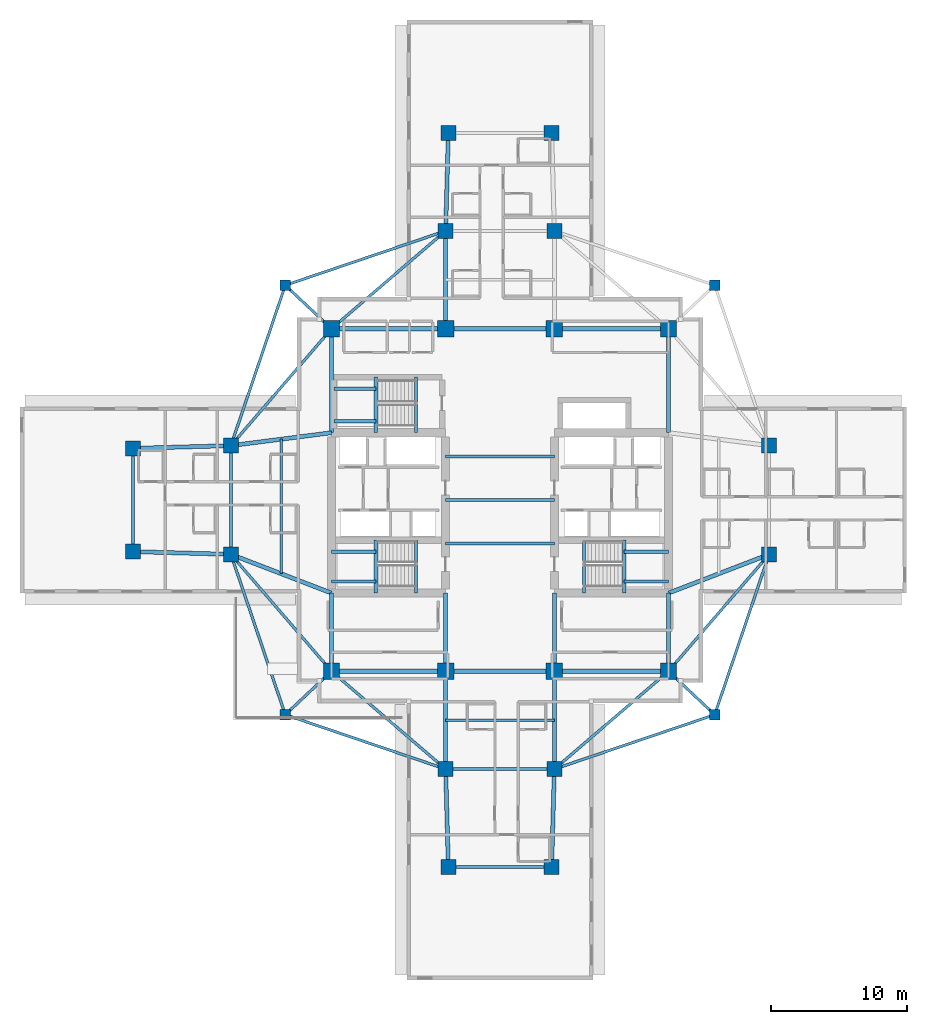
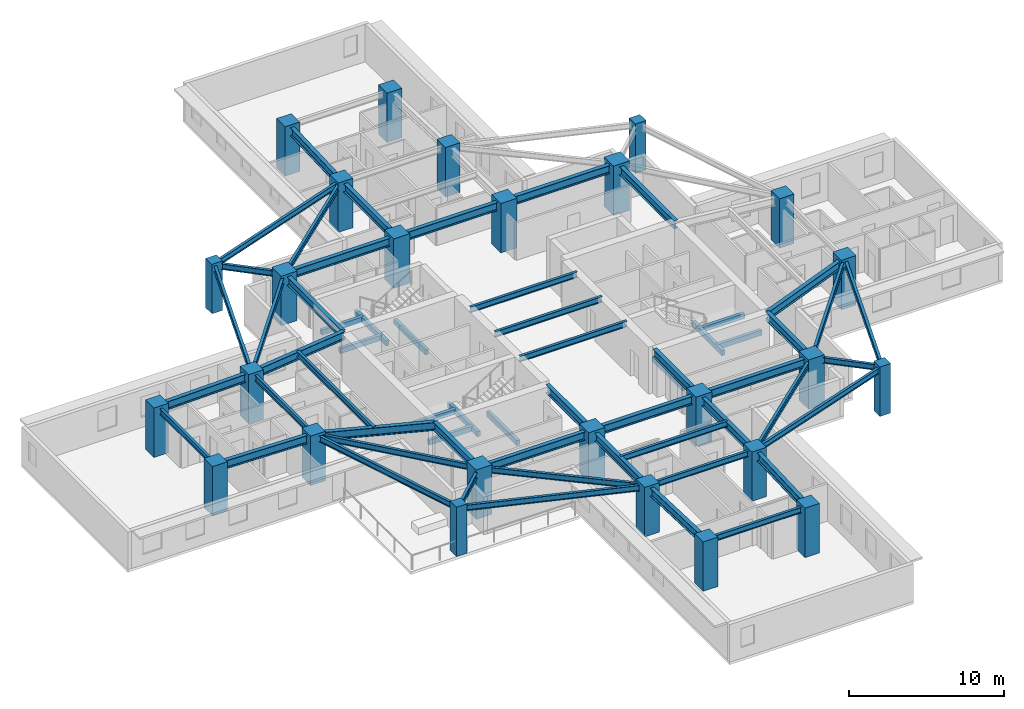
# One storey, part 1 of 13: 59 beams, 26 columns.
"""IFC4 building model written with IfcOpenShell, lengths in metres."""

from ifc_helpers import new_model, si_unit, direction, frame, origin, origin_2d, place, context, subcontext, project, spatial, rectangle, i_section, extrude, material, material_profile, profile_set, type_object, element, save


model = new_model("IFC4")

# Units and contexts
model_context = context("Model", 3, precision=1e-05, world=origin(), true_north=direction((0.0, 1.0)))
body_context = subcontext(model_context, "Body", "Model", "MODEL_VIEW")
ifc_project = project(units=[si_unit("LENGTHUNIT", "METRE"), si_unit("AREAUNIT", "SQUARE_METRE"), si_unit("VOLUMEUNIT", "CUBIC_METRE"), si_unit("PLANEANGLEUNIT", "RADIAN"), si_unit("MASSUNIT", "GRAM", prefix="KILO")], contexts=[model_context])

# Site, building, storey
site_placement = place(None, origin())
site = spatial("IfcSite", under=ifc_project, at=site_placement, CompositionType="ELEMENT")
building_placement = place(site_placement, origin())
building = spatial("IfcBuilding", under=site, at=building_placement, Name="Qingluan Cross Belvedere", CompositionType="ELEMENT")
storey_placement = place(building_placement, frame((0.0, 0.0, 104.699951171875)))
storey = spatial("IfcBuildingStorey", under=building, at=storey_placement, Name="L26", CompositionType="ELEMENT", Elevation=104.699951171875)

# Columns
ifc_material_1 = material(Name="Concrete C60", Category="concrete")
ifc_material_profile_1 = material_profile(ifc_material_1, rectangle(XDim=1.10009765625, YDim=1.10009765625, at=origin_2d()), Name="RC1100x1100")
ifc_profile_set_1 = profile_set([ifc_material_profile_1], Name="Concrete C60")
column_type_1 = type_object("IfcColumnType", Name="Column_RC1100x1100", PredefinedType="COLUMN", material=ifc_profile_set_1)
for number, where, z_axis, x_axis, name in (
    (1, (19.800048828125, -4.0, 0.0), (0.0, 0.0, 1.0), (1.0, 0.0, 0.0), "Arm column L26-EIA"),
    (2, (19.800048828125, 4.0, 0.0), (0.0, 0.0, 1.0), (1.0, 0.0, 0.0), "Arm column L26-EIB"),
    (3, (-19.800048828125, -4.0, 0.0), (0.0, 0.0, 1.0), (1.0, 0.0, 0.0), "Arm column L26-WIA"),
    (4, (-19.800048828125, 4.0, 0.0), (0.0, 0.0, 1.0), (1.0, 0.0, 0.0), "Arm column L26-WIB"),
    (5, (-4.0, -19.800048828125, 0.0), (0.0, 0.0, 1.0), (1.0, 0.0, 0.0), "Arm column L26-SIA"),
    (6, (4.0, -19.800048828125, 0.0), (0.0, 0.0, 1.0), (1.0, 0.0, 0.0), "Arm column L26-SIB"),
    (7, (-4.0, 19.800048828125, 0.0), (0.0, 0.0, 1.0), (1.0, 0.0, 0.0), "Arm column L26-NIA"),
    (8, (4.0, 19.800048828125, 0.0), (0.0, 0.0, 1.0), (1.0, 0.0, 0.0), "Arm column L26-NIB"),
    (9, (-27.0, -3.800048828125, 0.0), (0.0, 0.0, 1.0), (1.0, 0.0, 0.0), "Arm column L26-WOA"),
    (10, (-27.0, 3.800048828125, 0.0), (0.0, 0.0, 1.0), (1.0, 0.0, 0.0), "Arm column L26-WOB"),
    (11, (-3.800048828125, -27.0, 0.0), (0.0, 0.0, 1.0), (1.0, 0.0, 0.0), "Arm column L26-SOA"),
    (12, (3.800048828125, -27.0, 0.0), (0.0, 0.0, 1.0), (1.0, 0.0, 0.0), "Arm column L26-SOB"),
    (13, (-3.800048828125, 27.0, 0.0), (0.0, 0.0, 1.0), (1.0, 0.0, 0.0), "Arm column L26-NOA"),
    (14, (3.800048828125, 27.0, 0.0), (0.0, 0.0, 1.0), (1.0, 0.0, 0.0), "Arm column L26-NOB"),
):
    element("IfcColumn", number, at=place(storey_placement, frame(where, z_axis=z_axis, x_axis=x_axis)), inside=storey, type_object=column_type_1, Name=name, PredefinedType="COLUMN", context=body_context, shape_type="SweptSolid", body=[
        extrude(rectangle(XDim=1.10009765625, YDim=1.10009765625, at=origin_2d()), origin(), (0.0, 0.0, 1.0), 3.900146484375),
    ])
ifc_material_2 = material(Name="Concrete C60", Category="concrete")
ifc_material_profile_2 = material_profile(ifc_material_2, rectangle(XDim=1.199951171875, YDim=1.199951171875, at=origin_2d()), Name="RC1200x1200")
ifc_profile_set_2 = profile_set([ifc_material_profile_2], Name="Concrete C60")
column_type_2 = type_object("IfcColumnType", Name="Column_RC1200x1200", PredefinedType="COLUMN", material=ifc_profile_set_2)
for number, where, z_axis, x_axis, name in (
    (15, (-12.39990234375, -12.60009765625, 0.0), (0.0, 0.0, 1.0), (1.0, 0.0, 0.0), "Hub column L26-HC1"),
    (16, (12.39990234375, -12.60009765625, 0.0), (0.0, 0.0, 1.0), (1.0, 0.0, 0.0), "Hub column L26-HC2"),
    (17, (12.39990234375, 12.60009765625, 0.0), (0.0, 0.0, 1.0), (1.0, 0.0, 0.0), "Hub column L26-HC3"),
    (18, (-12.39990234375, 12.60009765625, 0.0), (0.0, 0.0, 1.0), (1.0, 0.0, 0.0), "Hub column L26-HC4"),
    (19, (-4.0, -12.60009765625, 0.0), (0.0, 0.0, 1.0), (1.0, 0.0, 0.0), "Hub column L26-HC5"),
    (20, (4.0, -12.60009765625, 0.0), (0.0, 0.0, 1.0), (1.0, 0.0, 0.0), "Hub column L26-HC6"),
    (21, (4.0, 12.60009765625, 0.0), (0.0, 0.0, 1.0), (1.0, 0.0, 0.0), "Hub column L26-HC7"),
    (22, (-4.0, 12.60009765625, 0.0), (0.0, 0.0, 1.0), (1.0, 0.0, 0.0), "Hub column L26-HC8"),
):
    element("IfcColumn", number, at=place(storey_placement, frame(where, z_axis=z_axis, x_axis=x_axis)), inside=storey, type_object=column_type_2, Name=name, PredefinedType="COLUMN", context=body_context, shape_type="SweptSolid", body=[
        extrude(rectangle(XDim=1.199951171875, YDim=1.199951171875, at=origin_2d()), origin(), (0.0, 0.0, 1.0), 3.900146484375),
    ])
ifc_material_3 = material(Name="Concrete C50", Category="concrete")
ifc_material_profile_3 = material_profile(ifc_material_3, rectangle(XDim=0.800048828125, YDim=0.800048828125, at=origin_2d()), Name="RC800x800")
ifc_profile_set_3 = profile_set([ifc_material_profile_3], Name="Concrete C50")
column_type_3 = type_object("IfcColumnType", Name="Column_RC800x800", PredefinedType="COLUMN", material=ifc_profile_set_3)
for number, where, z_axis, x_axis, name in (
    (23, (15.800048828125, 15.800048828125, 0.0), (0.0, 0.0, 1.0), (1.0, 0.0, 0.0), "Corner column L26-RNE"),
    (24, (-15.800048828125, 15.800048828125, 0.0), (0.0, 0.0, 1.0), (1.0, 0.0, 0.0), "Corner column L26-RNW"),
    (25, (-15.800048828125, -15.800048828125, 0.0), (0.0, 0.0, 1.0), (1.0, 0.0, 0.0), "Corner column L26-RSW"),
    (26, (15.800048828125, -15.800048828125, 0.0), (0.0, 0.0, 1.0), (1.0, 0.0, 0.0), "Corner column L26-RSE"),
):
    element("IfcColumn", number, at=place(storey_placement, frame(where, z_axis=z_axis, x_axis=x_axis)), inside=storey, type_object=column_type_3, Name=name, PredefinedType="COLUMN", context=body_context, shape_type="SweptSolid", body=[
        extrude(rectangle(XDim=0.800048828125, YDim=0.800048828125, at=origin_2d()), origin(), (0.0, 0.0, 1.0), 3.900146484375),
    ])

# Beams
ifc_material_4 = material(Name="Concrete C45", Category="concrete")
ifc_material_profile_4 = material_profile(ifc_material_4, rectangle(XDim=0.25, YDim=0.39990234375, at=origin_2d()), Name="RC250x400")
ifc_profile_set_4 = profile_set([ifc_material_profile_4], Name="Concrete C45")
beam_type_1 = type_object("IfcBeamType", Name="RC_Lintel_RC250x400", PredefinedType="LINTEL", material=ifc_profile_set_4)
for number, where, z_axis, x_axis, name in (
    (27, (-6.179931640625, -6.85009765625, -0.199951171875), (0.0, 1.0, 0.0), (-1.0, 0.0, 0.0), "Stair ST1 landing beam L26"),
    (28, (6.179931640625, -6.85009765625, -0.199951171875), (0.0, 1.0, 0.0), (-1.0, 0.0, 0.0), "Stair ST2 landing beam L26"),
):
    element("IfcBeam", number, at=place(storey_placement, frame(where, z_axis=z_axis, x_axis=x_axis)), inside=storey, type_object=beam_type_1, Name=name, PredefinedType="LINTEL", context=body_context, shape_type="SweptSolid", body=[
        extrude(rectangle(XDim=0.25, YDim=0.39990234375, at=origin_2d()), origin(), (0.0, 0.0, 1.0), 3.89013671875),
    ])
beam_1_placement = place(storey_placement, frame((-6.179931640625, 4.949951171875, -0.199951171875), z_axis=(0.0, 1.0, 0.0), x_axis=(-1.0, 0.0, 0.0)))
element("IfcBeam", 29, at=beam_1_placement, inside=storey, type_object=beam_type_1, Name="Stair ST3 landing beam L26", PredefinedType="LINTEL", context=body_context, shape_type="SweptSolid", body=[
    extrude(rectangle(XDim=0.25, YDim=0.39990234375, at=origin_2d()), origin(), (0.0, 0.0, 1.0), 4.090087890625),
])
beam_2_placement = place(storey_placement, frame((-9.1298828125, -6.85009765625, 1.550048828125), z_axis=(0.0, 1.0, 0.0), x_axis=(-1.0, 0.0, 0.0)))
element("IfcBeam", 30, at=beam_2_placement, inside=storey, type_object=beam_type_1, Name="Stair ST1 beam A L26", PredefinedType="LINTEL", context=body_context, shape_type="SweptSolid", body=[
    extrude(rectangle(XDim=0.25, YDim=0.39990234375, at=origin_2d()), origin(), (0.0, 0.0, 1.0), 3.89013671875),
])
for number, where, z_axis, x_axis, name in (
    (31, (-12.39990234375, -6.0, 1.550048828125), (1.0, 0.0, 0.0), (0.0, 1.0, 0.0), "Stair ST1 beam B L26"),
    (32, (-12.39990234375, -3.81005859375, 1.550048828125), (1.0, 0.0, 0.0), (0.0, 1.0, 0.0), "Stair ST1 beam C L26"),
):
    element("IfcBeam", number, at=place(storey_placement, frame(where, z_axis=z_axis, x_axis=x_axis)), inside=storey, type_object=beam_type_1, Name=name, PredefinedType="LINTEL", context=body_context, shape_type="SweptSolid", body=[
        extrude(rectangle(XDim=0.25, YDim=0.39990234375, at=origin_2d()), origin(), (0.0, 0.0, 1.0), 3.27001953125),
    ])
beam_3_placement = place(storey_placement, frame((9.1298828125, -6.85009765625, 1.550048828125), z_axis=(0.0, 1.0, 0.0), x_axis=(-1.0, 0.0, 0.0)))
element("IfcBeam", 33, at=beam_3_placement, inside=storey, type_object=beam_type_1, Name="Stair ST2 beam A L26", PredefinedType="LINTEL", context=body_context, shape_type="SweptSolid", body=[
    extrude(rectangle(XDim=0.25, YDim=0.39990234375, at=origin_2d()), origin(), (0.0, 0.0, 1.0), 3.89013671875),
])
for number, where, z_axis, x_axis, name in (
    (34, (12.39990234375, -6.0, 1.550048828125), (-1.0, 0.0, 0.0), (0.0, -1.0, 0.0), "Stair ST2 beam B L26"),
    (35, (12.39990234375, -3.81005859375, 1.550048828125), (-1.0, 0.0, 0.0), (0.0, -1.0, 0.0), "Stair ST2 beam C L26"),
):
    element("IfcBeam", number, at=place(storey_placement, frame(where, z_axis=z_axis, x_axis=x_axis)), inside=storey, type_object=beam_type_1, Name=name, PredefinedType="LINTEL", context=body_context, shape_type="SweptSolid", body=[
        extrude(rectangle(XDim=0.25, YDim=0.39990234375, at=origin_2d()), origin(), (0.0, 0.0, 1.0), 3.27001953125),
    ])
beam_4_placement = place(storey_placement, frame((-9.1298828125, 4.949951171875, 1.550048828125), z_axis=(0.0, 1.0, 0.0), x_axis=(-1.0, 0.0, 0.0)))
element("IfcBeam", 36, at=beam_4_placement, inside=storey, type_object=beam_type_1, Name="Stair ST3 beam A L26", PredefinedType="LINTEL", context=body_context, shape_type="SweptSolid", body=[
    extrude(rectangle(XDim=0.25, YDim=0.39990234375, at=origin_2d()), origin(), (0.0, 0.0, 1.0), 4.090087890625),
])
for number, where, z_axis, x_axis, name in (
    (37, (-12.219970703125, 5.800048828125, 1.550048828125), (1.0, 0.0, 0.0), (0.0, 1.0, 0.0), "Stair ST3 beam B L26"),
    (38, (-12.219970703125, 8.18994140625, 1.550048828125), (1.0, 0.0, 0.0), (0.0, 1.0, 0.0), "Stair ST3 beam C L26"),
):
    element("IfcBeam", number, at=place(storey_placement, frame(where, z_axis=z_axis, x_axis=x_axis)), inside=storey, type_object=beam_type_1, Name=name, PredefinedType="LINTEL", context=body_context, shape_type="SweptSolid", body=[
        extrude(rectangle(XDim=0.25, YDim=0.39990234375, at=origin_2d()), origin(), (0.0, 0.0, 1.0), 3.090087890625),
    ])
ifc_material_5 = material(Name="Steel Q420GJB", Category="steel")
ifc_material_profile_5 = material_profile(ifc_material_5, i_section(OverallWidth=0.199951171875, OverallDepth=0.449951171875, WebThickness=0.009033203125, FlangeThickness=0.013916015625, FilletRadius=0.01611328125, at=origin_2d()), Name="HN450x200x9x14")
ifc_profile_set_5 = profile_set([ifc_material_profile_5], Name="Steel Q420GJB")
beam_type_2 = type_object("IfcBeamType", Name="Steel_Beam_HN450x200x9x14", PredefinedType="JOIST", material=ifc_profile_set_5)
beam_5_placement = place(storey_placement, frame((-12.39990234375, 12.60009765625, 3.47509765625), z_axis=(-0.728219948308, 0.685343495546, 0.0), x_axis=(-0.685343495546, -0.728219948308, 0.0)))
element("IfcBeam", 39, at=beam_5_placement, inside=storey, type_object=beam_type_2, Name="Corner beam 1 L26-RNW", PredefinedType="JOIST", context=body_context, shape_type="SweptSolid", body=[
    extrude(i_section(OverallWidth=0.199951171875, OverallDepth=0.449951171875, WebThickness=0.009033203125, FlangeThickness=0.013916015625, FilletRadius=0.01611328125, at=origin_2d()), origin(), (0.0, 0.0, 1.0), 4.669189453125),
])
for number, where, z_axis, x_axis, name in (
    (40, (-15.800048828125, 15.800048828125, 3.47509765625), (0.947066283324, 0.321038089628, 0.0), (-0.321038089628, 0.947066283324, 0.0), "Corner beam 2 L26-RNW"),
    (41, (-15.800048828125, 15.800048828125, 3.47509765625), (-0.321038089628, -0.947066283324, 0.0), (0.947066283324, -0.321038089628, 0.0), "Corner beam 3 L26-RNW"),
):
    element("IfcBeam", number, at=place(storey_placement, frame(where, z_axis=z_axis, x_axis=x_axis)), inside=storey, type_object=beam_type_2, Name=name, PredefinedType="JOIST", context=body_context, shape_type="SweptSolid", body=[
        extrude(i_section(OverallWidth=0.199951171875, OverallDepth=0.449951171875, WebThickness=0.009033203125, FlangeThickness=0.013916015625, FilletRadius=0.01611328125, at=origin_2d()), origin(), (0.0, 0.0, 1.0), 12.45947265625),
    ])
beam_6_placement = place(storey_placement, frame((-12.39990234375, 12.60009765625, 3.47509765625), z_axis=(-0.652245077546, -0.75800815221, 0.0), x_axis=(0.75800815221, -0.652245077546, 0.0)))
element("IfcBeam", 42, at=beam_6_placement, inside=storey, type_object=beam_type_2, Name="Corner beam 4 L26-RNW", PredefinedType="JOIST", context=body_context, shape_type="SweptSolid", body=[
    extrude(i_section(OverallWidth=0.199951171875, OverallDepth=0.449951171875, WebThickness=0.009033203125, FlangeThickness=0.013916015625, FilletRadius=0.01611328125, at=origin_2d()), origin(), (0.0, 0.0, 1.0), 11.345703125),
])
beam_7_placement = place(storey_placement, frame((-12.39990234375, 12.60009765625, 3.47509765625), z_axis=(0.759255044656, 0.650793190779, 0.0), x_axis=(-0.650793190779, 0.759255044656, 0.0)))
element("IfcBeam", 43, at=beam_7_placement, inside=storey, type_object=beam_type_2, Name="Corner beam 5 L26-RNW", PredefinedType="JOIST", context=body_context, shape_type="SweptSolid", body=[
    extrude(i_section(OverallWidth=0.199951171875, OverallDepth=0.449951171875, WebThickness=0.009033203125, FlangeThickness=0.013916015625, FilletRadius=0.01611328125, at=origin_2d()), origin(), (0.0, 0.0, 1.0), 11.063232421875),
])
beam_8_placement = place(storey_placement, frame((-12.39990234375, -12.60009765625, 3.455078125), z_axis=(-0.728219948308, -0.685343495546, 0.0), x_axis=(0.685343495546, -0.728219948308, 0.0)))
element("IfcBeam", 44, at=beam_8_placement, inside=storey, type_object=beam_type_2, Name="Corner beam 1 L26-RSW", PredefinedType="JOIST", context=body_context, shape_type="SweptSolid", body=[
    extrude(i_section(OverallWidth=0.199951171875, OverallDepth=0.449951171875, WebThickness=0.009033203125, FlangeThickness=0.013916015625, FilletRadius=0.01611328125, at=origin_2d()), origin(), (0.0, 0.0, 1.0), 4.669189453125),
])
for number, where, z_axis, x_axis, name in (
    (45, (-15.800048828125, -15.800048828125, 3.455078125), (0.947066283324, -0.321038089628, 0.0), (0.321038089628, 0.947066283324, 0.0), "Corner beam 2 L26-RSW"),
    (46, (-15.800048828125, -15.800048828125, 3.455078125), (-0.321038089628, 0.947066283324, 0.0), (-0.947066283324, -0.321038089628, 0.0), "Corner beam 3 L26-RSW"),
):
    element("IfcBeam", number, at=place(storey_placement, frame(where, z_axis=z_axis, x_axis=x_axis)), inside=storey, type_object=beam_type_2, Name=name, PredefinedType="JOIST", context=body_context, shape_type="SweptSolid", body=[
        extrude(i_section(OverallWidth=0.199951171875, OverallDepth=0.449951171875, WebThickness=0.009033203125, FlangeThickness=0.013916015625, FilletRadius=0.01611328125, at=origin_2d()), origin(), (0.0, 0.0, 1.0), 12.45947265625),
    ])
beam_9_placement = place(storey_placement, frame((-12.39990234375, -12.60009765625, 3.455078125), z_axis=(-0.652245077546, 0.75800815221, 0.0), x_axis=(-0.75800815221, -0.652245077546, 0.0)))
element("IfcBeam", 47, at=beam_9_placement, inside=storey, type_object=beam_type_2, Name="Corner beam 4 L26-RSW", PredefinedType="JOIST", context=body_context, shape_type="SweptSolid", body=[
    extrude(i_section(OverallWidth=0.199951171875, OverallDepth=0.449951171875, WebThickness=0.009033203125, FlangeThickness=0.013916015625, FilletRadius=0.01611328125, at=origin_2d()), origin(), (0.0, 0.0, 1.0), 11.345703125),
])
beam_10_placement = place(storey_placement, frame((-12.39990234375, -12.60009765625, 3.455078125), z_axis=(0.759255044656, -0.650793190779, 0.0), x_axis=(0.650793190779, 0.759255044656, 0.0)))
element("IfcBeam", 48, at=beam_10_placement, inside=storey, type_object=beam_type_2, Name="Corner beam 5 L26-RSW", PredefinedType="JOIST", context=body_context, shape_type="SweptSolid", body=[
    extrude(i_section(OverallWidth=0.199951171875, OverallDepth=0.449951171875, WebThickness=0.009033203125, FlangeThickness=0.013916015625, FilletRadius=0.01611328125, at=origin_2d()), origin(), (0.0, 0.0, 1.0), 11.063232421875),
])
beam_11_placement = place(storey_placement, frame((12.39990234375, -12.60009765625, 3.47509765625), z_axis=(0.728219948308, -0.685343495546, 0.0), x_axis=(0.685343495546, 0.728219948308, 0.0)))
element("IfcBeam", 49, at=beam_11_placement, inside=storey, type_object=beam_type_2, Name="Corner beam 1 L26-RSE", PredefinedType="JOIST", context=body_context, shape_type="SweptSolid", body=[
    extrude(i_section(OverallWidth=0.199951171875, OverallDepth=0.449951171875, WebThickness=0.009033203125, FlangeThickness=0.013916015625, FilletRadius=0.01611328125, at=origin_2d()), origin(), (0.0, 0.0, 1.0), 4.669189453125),
])
for number, where, z_axis, x_axis, name in (
    (50, (15.800048828125, -15.800048828125, 3.47509765625), (-0.947066283324, -0.321038089628, 0.0), (0.321038089628, -0.947066283324, 0.0), "Corner beam 2 L26-RSE"),
    (51, (15.800048828125, -15.800048828125, 3.47509765625), (0.321038089628, 0.947066283324, 0.0), (-0.947066283324, 0.321038089628, 0.0), "Corner beam 3 L26-RSE"),
):
    element("IfcBeam", number, at=place(storey_placement, frame(where, z_axis=z_axis, x_axis=x_axis)), inside=storey, type_object=beam_type_2, Name=name, PredefinedType="JOIST", context=body_context, shape_type="SweptSolid", body=[
        extrude(i_section(OverallWidth=0.199951171875, OverallDepth=0.449951171875, WebThickness=0.009033203125, FlangeThickness=0.013916015625, FilletRadius=0.01611328125, at=origin_2d()), origin(), (0.0, 0.0, 1.0), 12.45947265625),
    ])
beam_12_placement = place(storey_placement, frame((12.39990234375, -12.60009765625, 3.47509765625), z_axis=(0.652245077546, 0.75800815221, 0.0), x_axis=(-0.75800815221, 0.652245077546, 0.0)))
element("IfcBeam", 52, at=beam_12_placement, inside=storey, type_object=beam_type_2, Name="Corner beam 4 L26-RSE", PredefinedType="JOIST", context=body_context, shape_type="SweptSolid", body=[
    extrude(i_section(OverallWidth=0.199951171875, OverallDepth=0.449951171875, WebThickness=0.009033203125, FlangeThickness=0.013916015625, FilletRadius=0.01611328125, at=origin_2d()), origin(), (0.0, 0.0, 1.0), 11.345703125),
])
beam_13_placement = place(storey_placement, frame((12.39990234375, -12.60009765625, 3.47509765625), z_axis=(-0.759255044656, -0.650793190779, 0.0), x_axis=(0.650793190779, -0.759255044656, 0.0)))
element("IfcBeam", 53, at=beam_13_placement, inside=storey, type_object=beam_type_2, Name="Corner beam 5 L26-RSE", PredefinedType="JOIST", context=body_context, shape_type="SweptSolid", body=[
    extrude(i_section(OverallWidth=0.199951171875, OverallDepth=0.449951171875, WebThickness=0.009033203125, FlangeThickness=0.013916015625, FilletRadius=0.01611328125, at=origin_2d()), origin(), (0.0, 0.0, 1.0), 11.063232421875),
])
for number, where, z_axis, x_axis, name in (
    (54, (-4.0, -3.199951171875, 3.47509765625), (1.0, 0.0, 0.0), (0.0, 1.0, 0.0), "Hall beam L26-CH1"),
    (55, (-4.0, 0.0, 3.47509765625), (1.0, 0.0, 0.0), (0.0, 1.0, 0.0), "Hall beam L26-CH2"),
    (56, (-4.0, 3.199951171875, 3.47509765625), (1.0, 0.0, 0.0), (0.0, 1.0, 0.0), "Hall beam L26-CH3"),
    (57, (-19.800048828125, -4.0, 3.47509765625), (0.0, 1.0, 0.0), (-1.0, 0.0, 0.0), "Arm W tie L26"),
):
    element("IfcBeam", number, at=place(storey_placement, frame(where, z_axis=z_axis, x_axis=x_axis)), inside=storey, type_object=beam_type_2, Name=name, PredefinedType="JOIST", context=body_context, shape_type="SweptSolid", body=[
        extrude(i_section(OverallWidth=0.199951171875, OverallDepth=0.449951171875, WebThickness=0.009033203125, FlangeThickness=0.013916015625, FilletRadius=0.01611328125, at=origin_2d()), origin(), (0.0, 0.0, 1.0), 8.0),
    ])
beam_14_placement = place(storey_placement, frame((-16.10009765625, -5.425048828125, 3.47509765625), z_axis=(0.0, 1.0, 0.0), x_axis=(-1.0, 0.0, 0.0)))
element("IfcBeam", 58, at=beam_14_placement, inside=storey, type_object=beam_type_2, Name="Arm W beam L26", PredefinedType="JOIST", context=body_context, shape_type="SweptSolid", body=[
    extrude(i_section(OverallWidth=0.199951171875, OverallDepth=0.449951171875, WebThickness=0.009033203125, FlangeThickness=0.013916015625, FilletRadius=0.01611328125, at=origin_2d()), origin(), (0.0, 0.0, 1.0), 9.900146484375),
])
beam_15_placement = place(storey_placement, frame((-27.0, -3.800048828125, 3.47509765625), z_axis=(0.0, 1.0, 0.0), x_axis=(-1.0, 0.0, 0.0)))
element("IfcBeam", 59, at=beam_15_placement, inside=storey, type_object=beam_type_2, Name="Arm W tip transverse beam L26", PredefinedType="JOIST", context=body_context, shape_type="SweptSolid", body=[
    extrude(i_section(OverallWidth=0.199951171875, OverallDepth=0.449951171875, WebThickness=0.009033203125, FlangeThickness=0.013916015625, FilletRadius=0.01611328125, at=origin_2d()), origin(), (0.0, 0.0, 1.0), 7.60009765625),
])
for number, where, z_axis, x_axis, name in (
    (60, (-4.0, -19.800048828125, 3.47509765625), (1.0, 0.0, 0.0), (0.0, 1.0, 0.0), "Arm S tie L26"),
    (61, (-4.0, -16.199951171875, 3.47509765625), (1.0, 0.0, 0.0), (0.0, 1.0, 0.0), "Arm S beam L26"),
):
    element("IfcBeam", number, at=place(storey_placement, frame(where, z_axis=z_axis, x_axis=x_axis)), inside=storey, type_object=beam_type_2, Name=name, PredefinedType="JOIST", context=body_context, shape_type="SweptSolid", body=[
        extrude(i_section(OverallWidth=0.199951171875, OverallDepth=0.449951171875, WebThickness=0.009033203125, FlangeThickness=0.013916015625, FilletRadius=0.01611328125, at=origin_2d()), origin(), (0.0, 0.0, 1.0), 8.0),
    ])
beam_16_placement = place(storey_placement, frame((-3.800048828125, -27.0, 3.47509765625), z_axis=(1.0, 0.0, 0.0), x_axis=(0.0, 1.0, 0.0)))
element("IfcBeam", 62, at=beam_16_placement, inside=storey, type_object=beam_type_2, Name="Arm S tip transverse beam L26", PredefinedType="JOIST", context=body_context, shape_type="SweptSolid", body=[
    extrude(i_section(OverallWidth=0.199951171875, OverallDepth=0.449951171875, WebThickness=0.009033203125, FlangeThickness=0.013916015625, FilletRadius=0.01611328125, at=origin_2d()), origin(), (0.0, 0.0, 1.0), 7.60009765625),
])
ifc_material_6 = material(Name="Steel Q420GJB", Category="steel")
ifc_material_profile_6 = material_profile(ifc_material_6, i_section(OverallWidth=0.300048828125, OverallDepth=0.64990234375, WebThickness=0.014404296875, FlangeThickness=0.02587890625, FilletRadius=0.027099609375, at=origin_2d()), Name="HEB650")
ifc_profile_set_6 = profile_set([ifc_material_profile_6], Name="Steel Q420GJB")
beam_type_3 = type_object("IfcBeamType", Name="Steel_Girder_HEB650", PredefinedType="USERDEFINED", material=ifc_profile_set_6)
beam_17_placement = place(storey_placement, frame((-12.39990234375, -12.60009765625, 3.375), z_axis=(1.0, 0.0, 0.0), x_axis=(0.0, 1.0, 0.0)))
element("IfcBeam", 63, at=beam_17_placement, inside=storey, type_object=beam_type_3, Name="Hub girder L26-HG-S1", ObjectType="GIRDER", PredefinedType="USERDEFINED", context=body_context, shape_type="SweptSolid", body=[
    extrude(i_section(OverallWidth=0.300048828125, OverallDepth=0.64990234375, WebThickness=0.014404296875, FlangeThickness=0.02587890625, FilletRadius=0.027099609375, at=origin_2d()), origin(), (0.0, 0.0, 1.0), 8.39990234375),
])
beam_18_placement = place(storey_placement, frame((-4.0, -12.60009765625, 3.375), z_axis=(1.0, 0.0, 0.0), x_axis=(0.0, 1.0, 0.0)))
element("IfcBeam", 64, at=beam_18_placement, inside=storey, type_object=beam_type_3, Name="Hub girder L26-HG-S2", ObjectType="GIRDER", PredefinedType="USERDEFINED", context=body_context, shape_type="SweptSolid", body=[
    extrude(i_section(OverallWidth=0.300048828125, OverallDepth=0.64990234375, WebThickness=0.014404296875, FlangeThickness=0.02587890625, FilletRadius=0.027099609375, at=origin_2d()), origin(), (0.0, 0.0, 1.0), 8.0),
])
for number, where, z_axis, x_axis, name in (
    (65, (4.0, -12.60009765625, 3.375), (1.0, 0.0, 0.0), (0.0, 1.0, 0.0), "Hub girder L26-HG-S3"),
    (66, (-12.39990234375, 12.60009765625, 3.375), (1.0, 0.0, 0.0), (0.0, 1.0, 0.0), "Hub girder L26-HG-N1"),
):
    element("IfcBeam", number, at=place(storey_placement, frame(where, z_axis=z_axis, x_axis=x_axis)), inside=storey, type_object=beam_type_3, Name=name, ObjectType="GIRDER", PredefinedType="USERDEFINED", context=body_context, shape_type="SweptSolid", body=[
        extrude(i_section(OverallWidth=0.300048828125, OverallDepth=0.64990234375, WebThickness=0.014404296875, FlangeThickness=0.02587890625, FilletRadius=0.027099609375, at=origin_2d()), origin(), (0.0, 0.0, 1.0), 8.39990234375),
    ])
beam_19_placement = place(storey_placement, frame((-4.0, 12.60009765625, 3.375), z_axis=(1.0, 0.0, 0.0), x_axis=(0.0, 1.0, 0.0)))
element("IfcBeam", 67, at=beam_19_placement, inside=storey, type_object=beam_type_3, Name="Hub girder L26-HG-N2", ObjectType="GIRDER", PredefinedType="USERDEFINED", context=body_context, shape_type="SweptSolid", body=[
    extrude(i_section(OverallWidth=0.300048828125, OverallDepth=0.64990234375, WebThickness=0.014404296875, FlangeThickness=0.02587890625, FilletRadius=0.027099609375, at=origin_2d()), origin(), (0.0, 0.0, 1.0), 8.0),
])
beam_20_placement = place(storey_placement, frame((4.0, 12.60009765625, 3.375), z_axis=(1.0, 0.0, 0.0), x_axis=(0.0, 1.0, 0.0)))
element("IfcBeam", 68, at=beam_20_placement, inside=storey, type_object=beam_type_3, Name="Hub girder L26-HG-N3", ObjectType="GIRDER", PredefinedType="USERDEFINED", context=body_context, shape_type="SweptSolid", body=[
    extrude(i_section(OverallWidth=0.300048828125, OverallDepth=0.64990234375, WebThickness=0.014404296875, FlangeThickness=0.02587890625, FilletRadius=0.027099609375, at=origin_2d()), origin(), (0.0, 0.0, 1.0), 8.39990234375),
])
beam_21_placement = place(storey_placement, frame((-12.39990234375, -12.60009765625, 3.375), z_axis=(0.0, 1.0, 0.0), x_axis=(-1.0, 0.0, 0.0)))
element("IfcBeam", 69, at=beam_21_placement, inside=storey, type_object=beam_type_3, Name="Hub girder L26-HG-W1", ObjectType="GIRDER", PredefinedType="USERDEFINED", context=body_context, shape_type="SweptSolid", body=[
    extrude(i_section(OverallWidth=0.300048828125, OverallDepth=0.64990234375, WebThickness=0.014404296875, FlangeThickness=0.02587890625, FilletRadius=0.027099609375, at=origin_2d()), origin(), (0.0, 0.0, 1.0), 5.75),
])
beam_22_placement = place(storey_placement, frame((-12.39990234375, 4.949951171875, 3.375), z_axis=(0.0, 1.0, 0.0), x_axis=(-1.0, 0.0, 0.0)))
element("IfcBeam", 70, at=beam_22_placement, inside=storey, type_object=beam_type_3, Name="Hub girder L26-HG-W2", ObjectType="GIRDER", PredefinedType="USERDEFINED", context=body_context, shape_type="SweptSolid", body=[
    extrude(i_section(OverallWidth=0.300048828125, OverallDepth=0.64990234375, WebThickness=0.014404296875, FlangeThickness=0.02587890625, FilletRadius=0.027099609375, at=origin_2d()), origin(), (0.0, 0.0, 1.0), 7.650146484375),
])
beam_23_placement = place(storey_placement, frame((12.39990234375, -12.60009765625, 3.375), z_axis=(0.0, 1.0, 0.0), x_axis=(-1.0, 0.0, 0.0)))
element("IfcBeam", 71, at=beam_23_placement, inside=storey, type_object=beam_type_3, Name="Hub girder L26-HG-E1", ObjectType="GIRDER", PredefinedType="USERDEFINED", context=body_context, shape_type="SweptSolid", body=[
    extrude(i_section(OverallWidth=0.300048828125, OverallDepth=0.64990234375, WebThickness=0.014404296875, FlangeThickness=0.02587890625, FilletRadius=0.027099609375, at=origin_2d()), origin(), (0.0, 0.0, 1.0), 5.75),
])
beam_24_placement = place(storey_placement, frame((12.39990234375, 4.949951171875, 3.375), z_axis=(0.0, 1.0, 0.0), x_axis=(-1.0, 0.0, 0.0)))
element("IfcBeam", 72, at=beam_24_placement, inside=storey, type_object=beam_type_3, Name="Hub girder L26-HG-E2", ObjectType="GIRDER", PredefinedType="USERDEFINED", context=body_context, shape_type="SweptSolid", body=[
    extrude(i_section(OverallWidth=0.300048828125, OverallDepth=0.64990234375, WebThickness=0.014404296875, FlangeThickness=0.02587890625, FilletRadius=0.027099609375, at=origin_2d()), origin(), (0.0, 0.0, 1.0), 7.650146484375),
])
for number, where, z_axis, x_axis, name in (
    (73, (-4.0, -12.60009765625, 3.375), (0.0, 1.0, 0.0), (-1.0, 0.0, 0.0), "Hub girder L26-HG-CW"),
    (74, (4.0, -12.60009765625, 3.375), (0.0, 1.0, 0.0), (-1.0, 0.0, 0.0), "Hub girder L26-HG-CE"),
):
    element("IfcBeam", number, at=place(storey_placement, frame(where, z_axis=z_axis, x_axis=x_axis)), inside=storey, type_object=beam_type_3, Name=name, ObjectType="GIRDER", PredefinedType="USERDEFINED", context=body_context, shape_type="SweptSolid", body=[
        extrude(i_section(OverallWidth=0.300048828125, OverallDepth=0.64990234375, WebThickness=0.014404296875, FlangeThickness=0.02587890625, FilletRadius=0.027099609375, at=origin_2d()), origin(), (0.0, 0.0, 1.0), 5.75),
    ])
for number, where, z_axis, x_axis, name in (
    (75, (12.39990234375, -6.85009765625, 3.375), (0.933181258889, 0.359406090735, 0.0), (-0.359406090735, 0.933181258889, 0.0), "Arm E radial girder A L26"),
    (76, (-12.39990234375, -6.85009765625, 3.375), (-0.933181258889, 0.359406090735, 0.0), (-0.359406090735, -0.933181258889, 0.0), "Arm W radial girder A L26"),
):
    element("IfcBeam", number, at=place(storey_placement, frame(where, z_axis=z_axis, x_axis=x_axis)), inside=storey, type_object=beam_type_3, Name=name, ObjectType="GIRDER", PredefinedType="USERDEFINED", context=body_context, shape_type="SweptSolid", body=[
        extrude(i_section(OverallWidth=0.300048828125, OverallDepth=0.64990234375, WebThickness=0.014404296875, FlangeThickness=0.02587890625, FilletRadius=0.027099609375, at=origin_2d()), origin(), (0.0, 0.0, 1.0), 7.929931640625),
    ])
beam_25_placement = place(storey_placement, frame((-12.39990234375, 4.949951171875, 3.375), z_axis=(-0.991861120628, -0.12732445714, 0.0), x_axis=(0.12732445714, -0.991861120628, 0.0)))
element("IfcBeam", 77, at=beam_25_placement, inside=storey, type_object=beam_type_3, Name="Arm W radial girder B L26", ObjectType="GIRDER", PredefinedType="USERDEFINED", context=body_context, shape_type="SweptSolid", body=[
    extrude(i_section(OverallWidth=0.300048828125, OverallDepth=0.64990234375, WebThickness=0.014404296875, FlangeThickness=0.02587890625, FilletRadius=0.027099609375, at=origin_2d()), origin(), (0.0, 0.0, 1.0), 7.4609375),
])
for number, where, z_axis, x_axis, name in (
    (78, (-19.800048828125, -4.0, 3.375), (-0.999614603568, 0.027760481514, 0.0), (-0.027760481514, -0.999614603568, 0.0), "Arm W outer radial girder A L26"),
    (79, (-19.800048828125, 4.0, 3.375), (-0.999614603568, -0.027760481514, 0.0), (0.027760481514, -0.999614603568, 0.0), "Arm W outer radial girder B L26"),
):
    element("IfcBeam", number, at=place(storey_placement, frame(where, z_axis=z_axis, x_axis=x_axis)), inside=storey, type_object=beam_type_3, Name=name, ObjectType="GIRDER", PredefinedType="USERDEFINED", context=body_context, shape_type="SweptSolid", body=[
        extrude(i_section(OverallWidth=0.300048828125, OverallDepth=0.64990234375, WebThickness=0.014404296875, FlangeThickness=0.02587890625, FilletRadius=0.027099609375, at=origin_2d()), origin(), (0.0, 0.0, 1.0), 7.20263671875),
    ])
beam_26_placement = place(storey_placement, frame((-4.0, 12.60009765625, 3.375), z_axis=(0.0, 1.0, 0.0), x_axis=(-1.0, 0.0, 0.0)))
element("IfcBeam", 80, at=beam_26_placement, inside=storey, type_object=beam_type_3, Name="Arm N radial girder A L26", ObjectType="GIRDER", PredefinedType="USERDEFINED", context=body_context, shape_type="SweptSolid", body=[
    extrude(i_section(OverallWidth=0.300048828125, OverallDepth=0.64990234375, WebThickness=0.014404296875, FlangeThickness=0.02587890625, FilletRadius=0.027099609375, at=origin_2d()), origin(), (0.0, 0.0, 1.0), 7.199951171875),
])
beam_27_placement = place(storey_placement, frame((-4.0, 19.800048828125, 3.375), z_axis=(0.027760481514, 0.999614603568, 0.0), x_axis=(-0.999614603568, 0.027760481514, 0.0)))
element("IfcBeam", 81, at=beam_27_placement, inside=storey, type_object=beam_type_3, Name="Arm N outer radial girder A L26", ObjectType="GIRDER", PredefinedType="USERDEFINED", context=body_context, shape_type="SweptSolid", body=[
    extrude(i_section(OverallWidth=0.300048828125, OverallDepth=0.64990234375, WebThickness=0.014404296875, FlangeThickness=0.02587890625, FilletRadius=0.027099609375, at=origin_2d()), origin(), (0.0, 0.0, 1.0), 7.20263671875),
])
for number, where, z_axis, x_axis, name in (
    (82, (-4.0, -12.60009765625, 3.375), (0.0, -1.0, 0.0), (1.0, 0.0, 0.0), "Arm S radial girder A L26"),
    (83, (4.0, -12.60009765625, 3.375), (0.0, -1.0, 0.0), (1.0, 0.0, 0.0), "Arm S radial girder B L26"),
):
    element("IfcBeam", number, at=place(storey_placement, frame(where, z_axis=z_axis, x_axis=x_axis)), inside=storey, type_object=beam_type_3, Name=name, ObjectType="GIRDER", PredefinedType="USERDEFINED", context=body_context, shape_type="SweptSolid", body=[
        extrude(i_section(OverallWidth=0.300048828125, OverallDepth=0.64990234375, WebThickness=0.014404296875, FlangeThickness=0.02587890625, FilletRadius=0.027099609375, at=origin_2d()), origin(), (0.0, 0.0, 1.0), 7.199951171875),
    ])
for number, where, z_axis, x_axis, name in (
    (84, (-4.0, -19.800048828125, 3.375), (0.027760481514, -0.999614603568, 0.0), (0.999614603568, 0.027760481514, 0.0), "Arm S outer radial girder A L26"),
    (85, (4.0, -19.800048828125, 3.375), (-0.027760481514, -0.999614603568, 0.0), (0.999614603568, -0.027760481514, 0.0), "Arm S outer radial girder B L26"),
):
    element("IfcBeam", number, at=place(storey_placement, frame(where, z_axis=z_axis, x_axis=x_axis)), inside=storey, type_object=beam_type_3, Name=name, ObjectType="GIRDER", PredefinedType="USERDEFINED", context=body_context, shape_type="SweptSolid", body=[
        extrude(i_section(OverallWidth=0.300048828125, OverallDepth=0.64990234375, WebThickness=0.014404296875, FlangeThickness=0.02587890625, FilletRadius=0.027099609375, at=origin_2d()), origin(), (0.0, 0.0, 1.0), 7.20263671875),
    ])

save(model, "model.ifc")
